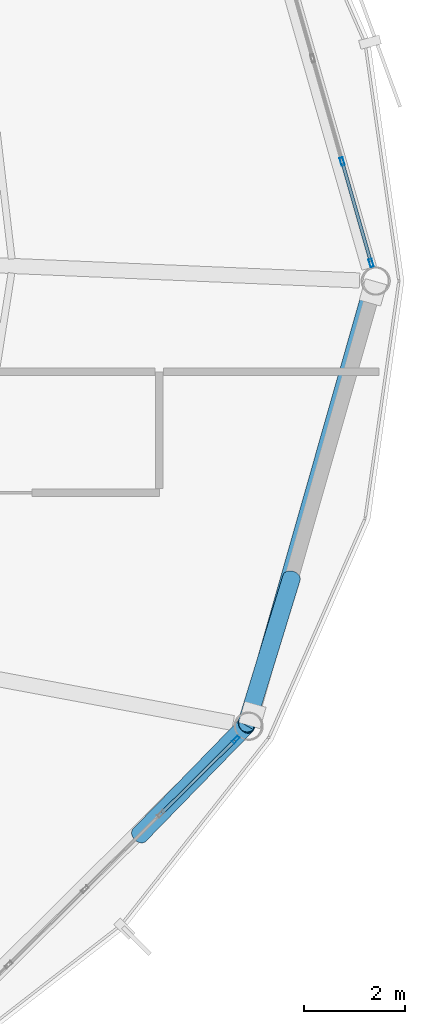
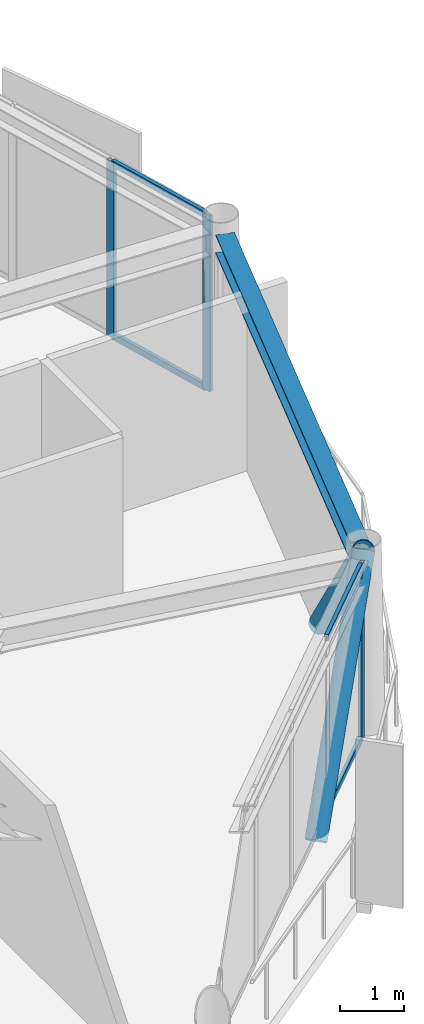
# One storey, part 14 of 25: 9 members, 1 beam, 2 elements without a shape of their own.
"""IFC4 building model written with IfcOpenShell, lengths in metres."""

from ifc_helpers import new_model, si_unit, direction, frame, origin, origin_2d, place, context, subcontext, project, spatial, hollow_rectangle, hollow_circle, i_section, extrude, material, layer, layer_set, material_profile, profile_set, type_object, element, aggregate, save


model = new_model("IFC4")

# Units and contexts
model_context = context("Model", 3, precision=1e-05, world=origin(), true_north=direction((0.0, 1.0)))
body_context = subcontext(model_context, "Body", "Model", "MODEL_VIEW")
ifc_project = project(units=[si_unit("LENGTHUNIT", "METRE"), si_unit("AREAUNIT", "SQUARE_METRE"), si_unit("VOLUMEUNIT", "CUBIC_METRE"), si_unit("PLANEANGLEUNIT", "RADIAN"), si_unit("MASSUNIT", "GRAM", prefix="KILO")], contexts=[model_context])

# Site, building, storey
site_placement = place(None, origin())
site = spatial("IfcSite", under=ifc_project, at=site_placement, CompositionType="ELEMENT")
building_placement = place(site_placement, origin())
building = spatial("IfcBuilding", under=site, at=building_placement, Name="Varnakorn Sky Granary", CompositionType="ELEMENT")
storey_placement = place(building_placement, frame((0.0, 0.0, 277.800048828125)))
storey = spatial("IfcBuildingStorey", under=building, at=storey_placement, Name="L71", CompositionType="ELEMENT", Elevation=277.800048828125)

# Beam
ifc_material_1 = material(Name="Steel S355JR", Category="steel")
ifc_material_profile_1 = material_profile(ifc_material_1, i_section(OverallWidth=0.300048828125, OverallDepth=0.360107421875, WebThickness=0.012451171875, FlangeThickness=0.0224609375, at=origin_2d()), Name="HE 360 B")
ifc_profile_set_1 = profile_set([ifc_material_profile_1], Name="Steel S355JR")
beam_type = type_object("IfcBeamType", Name="BM-SPD-Z5", PredefinedType="SPANDREL", material=ifc_profile_set_1)
beam_placement = place(storey_placement, frame((20.29443359375, -8.56201171875, 3.179931640625), z_axis=(0.274138779238, 0.961690142259, 0.0), x_axis=(-0.961690142259, 0.274138779238, 0.0)))
element("IfcBeam", 1, at=beam_placement, inside=storey, type_object=beam_type, Name="Perimeter Spandrel Ring Beam RB12 L71", PredefinedType="SPANDREL", context=body_context, shape_type="SweptSolid", body=[
    extrude(i_section(OverallWidth=0.300048828125, OverallDepth=0.360107421875, WebThickness=0.012451171875, FlangeThickness=0.0224609375, at=origin_2d()), origin(), (0.0, 0.0, 1.0), 8.638671875),
])

# Curtain wall, members
ifc_material_2 = material(Name="Anodised Bronze Aluminium Alloy 6063-T6", Category="aluminium")
ifc_layer = layer(ifc_material_2, 0.159912109375, Name="Anodised Bronze Aluminium Alloy 6063-T6")
ifc_layer_set = layer_set([ifc_layer], Name="Anodised Bronze Aluminium Alloy 6063-T6")
curtain_wall_type = type_object("IfcCurtainWallType", Name="CW-OFF-1", PredefinedType="USERDEFINED", material=ifc_layer_set)
curtain_wall_1_placement = place(storey_placement, origin())
curtain_wall_1 = element("IfcCurtainWall", 2, at=curtain_wall_1_placement, inside=storey, type_object=curtain_wall_type, Name="Unitised Curtain Wall CW6 CW-L71-B01", ObjectType="CURTAIN WALL", PredefinedType="USERDEFINED")
ifc_material_profile_2 = material_profile(ifc_material_2, hollow_rectangle(XDim=0.06494140625, YDim=0.159912109375, WallThickness=0.00341796875, at=origin_2d()), Name="ALU MULL 65x160")
ifc_profile_set_2 = profile_set([ifc_material_profile_2], Name="Anodised Bronze Aluminium Alloy 6063-T6")
member_type_1 = type_object("IfcMemberType", Name="CW-OFF-1-MULL", PredefinedType="MULLION", material=ifc_profile_set_2)
member_1_placement = place(storey_placement, frame((22.125732421875, 2.37158203125, 0.0), z_axis=(0.0, 0.0, 1.0), x_axis=(0.961570064627, 0.274559667128, 0.0)))
member_1 = element("IfcMember", 3, at=member_1_placement, type_object=member_type_1, Name="CW6 mullion 4", PredefinedType="MULLION", context=body_context, shape_type="SweptSolid", body=[
    extrude(hollow_rectangle(XDim=0.06494140625, YDim=0.159912109375, WallThickness=0.00341796875, at=origin_2d()), origin(), (0.0, 0.0, 1.0), 3.35986328125),
])
member_2_placement = place(storey_placement, frame((22.700927734375, 0.357666015625, 0.0), z_axis=(0.0, 0.0, 1.0), x_axis=(0.961570064627, 0.274559667128, 0.0)))
member_2 = element("IfcMember", 4, at=member_2_placement, type_object=member_type_1, Name="CW6 mullion 5", PredefinedType="MULLION", context=body_context, shape_type="SweptSolid", body=[
    extrude(hollow_rectangle(XDim=0.06494140625, YDim=0.159912109375, WallThickness=0.00341796875, at=origin_2d()), origin(), (0.0, 0.0, 1.0), 3.35986328125),
])

# Curtain wall, member
curtain_wall_2_placement = place(storey_placement, origin())
curtain_wall_2 = element("IfcCurtainWall", 5, at=curtain_wall_2_placement, inside=storey, type_object=curtain_wall_type, Name="Unitised Curtain Wall CW6 CW-L71-B11", ObjectType="CURTAIN WALL", PredefinedType="USERDEFINED")
member_3_placement = place(storey_placement, frame((20.0166015625, -9.095458984375, 0.0), z_axis=(0.0, 0.0, 1.0), x_axis=(0.704102293926, -0.71009855632, 0.0)))
member_3 = element("IfcMember", 6, at=member_3_placement, type_object=member_type_1, Name="CW6 mullion 1", PredefinedType="MULLION", context=body_context, shape_type="SweptSolid", body=[
    extrude(hollow_rectangle(XDim=0.06494140625, YDim=0.159912109375, WallThickness=0.00341796875, at=origin_2d()), origin(), (0.0, 0.0, 1.0), 3.35986328125),
])

# Member
ifc_material_profile_3 = material_profile(ifc_material_2, hollow_rectangle(XDim=0.06494140625, YDim=0.1201171875, WallThickness=0.00341796875, at=origin_2d()), Name="ALU TRAN 65x120")
ifc_profile_set_3 = profile_set([ifc_material_profile_3], Name="Anodised Bronze Aluminium Alloy 6063-T6")
member_type_2 = type_object("IfcMemberType", Name="CW-OFF-1-TRAN", PredefinedType="USERDEFINED", material=ifc_profile_set_3)
member_4_placement = place(storey_placement, frame((22.134765625, 2.34033203125, 0.032470703125), z_axis=(0.274530454279, -0.96157840537, 0.0), x_axis=(0.96157840537, 0.274530454279, 0.0)))
member_4 = element("IfcMember", 7, at=member_4_placement, type_object=member_type_2, Name="CW6 transom 4.1", ObjectType="TRANSOM", PredefinedType="USERDEFINED", context=body_context, shape_type="SweptSolid", body=[
    extrude(hollow_rectangle(XDim=0.06494140625, YDim=0.1201171875, WallThickness=0.00341796875, at=origin_2d()), origin(), (0.0, 0.0, 1.0), 2.029296875),
])

member_5_placement = place(storey_placement, frame((22.134765625, 2.34033203125, 3.327392578125), z_axis=(0.274530454279, -0.96157840537, 0.0), x_axis=(0.96157840537, 0.274530454279, 0.0)))
member_5 = element("IfcMember", 8, at=member_5_placement, type_object=member_type_2, Name="CW6 transom 4.2", ObjectType="TRANSOM", PredefinedType="USERDEFINED", context=body_context, shape_type="SweptSolid", body=[
    extrude(hollow_rectangle(XDim=0.06494140625, YDim=0.1201171875, WallThickness=0.00341796875, at=origin_2d()), origin(), (0.0, 0.0, 1.0), 2.029296875),
])

aggregate(curtain_wall_1, [member_1, member_2, member_4, member_5])

member_6_placement = place(storey_placement, frame((19.99365234375, -9.1181640625, 0.032470703125), z_axis=(-0.710048643289, -0.704152628457, 0.0), x_axis=(0.704152628457, -0.710048643289, 0.0)))
member_6 = element("IfcMember", 9, at=member_6_placement, type_object=member_type_2, Name="CW6 transom 1.1", ObjectType="TRANSOM", PredefinedType="USERDEFINED", context=body_context, shape_type="SweptSolid", body=[
    extrude(hollow_rectangle(XDim=0.06494140625, YDim=0.1201171875, WallThickness=0.00341796875, at=origin_2d()), origin(), (0.0, 0.0, 1.0), 2.029052734375),
])

member_7_placement = place(storey_placement, frame((19.99365234375, -9.1181640625, 3.327392578125), z_axis=(-0.710048643289, -0.704152628457, 0.0), x_axis=(0.704152628457, -0.710048643289, 0.0)))
member_7 = element("IfcMember", 10, at=member_7_placement, type_object=member_type_2, Name="CW6 transom 1.2", ObjectType="TRANSOM", PredefinedType="USERDEFINED", context=body_context, shape_type="SweptSolid", body=[
    extrude(hollow_rectangle(XDim=0.06494140625, YDim=0.1201171875, WallThickness=0.00341796875, at=origin_2d()), origin(), (0.0, 0.0, 1.0), 2.029052734375),
])

aggregate(curtain_wall_2, [member_3, member_6, member_7])

# Members
ifc_material_3 = material(Name="Steel S460M", Category="steel")
ifc_material_profile_4 = material_profile(ifc_material_3, hollow_circle(Radius=0.177734375, WallThickness=0.01416015625, at=origin_2d()), Name="CHS 355.6x14")
ifc_profile_set_4 = profile_set([ifc_material_profile_4], Name="Steel S460M")
member_type_3 = type_object("IfcMemberType", Name="MB-DIAG-T5", PredefinedType="BRACE", material=ifc_profile_set_4)
member_8_placement = place(storey_placement, frame((18.10693359375, -10.989013671875, -0.130126953125), z_axis=(0.457479005261, 0.469941783195, 0.754895807481), x_axis=(-0.716544261542, 0.697541626895, 0.0)))
element("IfcMember", 11, at=member_8_placement, inside=storey, type_object=member_type_3, Name="Perimeter CHS Diagrid Brace DG11 L71", PredefinedType="BRACE", context=body_context, shape_type="SweptSolid", body=[
    extrude(hollow_circle(Radius=0.177734375, WallThickness=0.01416015625, at=origin_2d()), origin(), (0.0, 0.0, 1.0), 4.623046875),
])
member_9_placement = place(storey_placement, frame((21.12158203125, -5.888916015625, -0.130126953125), z_axis=(-0.193756836772, -0.630485272655, 0.751629303027), x_axis=(0.95588064399, -0.293755330923, 0.0)))
element("IfcMember", 12, at=member_9_placement, inside=storey, type_object=member_type_3, Name="Perimeter CHS Diagrid Brace DG12 L71", PredefinedType="BRACE", context=body_context, shape_type="SweptSolid", body=[
    extrude(hollow_circle(Radius=0.177734375, WallThickness=0.01416015625, at=origin_2d()), origin(), (0.0, 0.0, 1.0), 4.643310546875),
])

save(model, "model.ifc")
